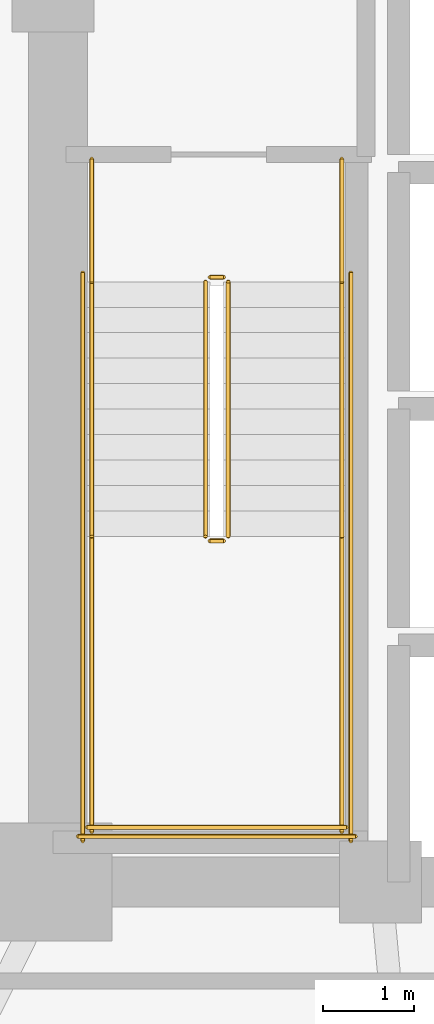
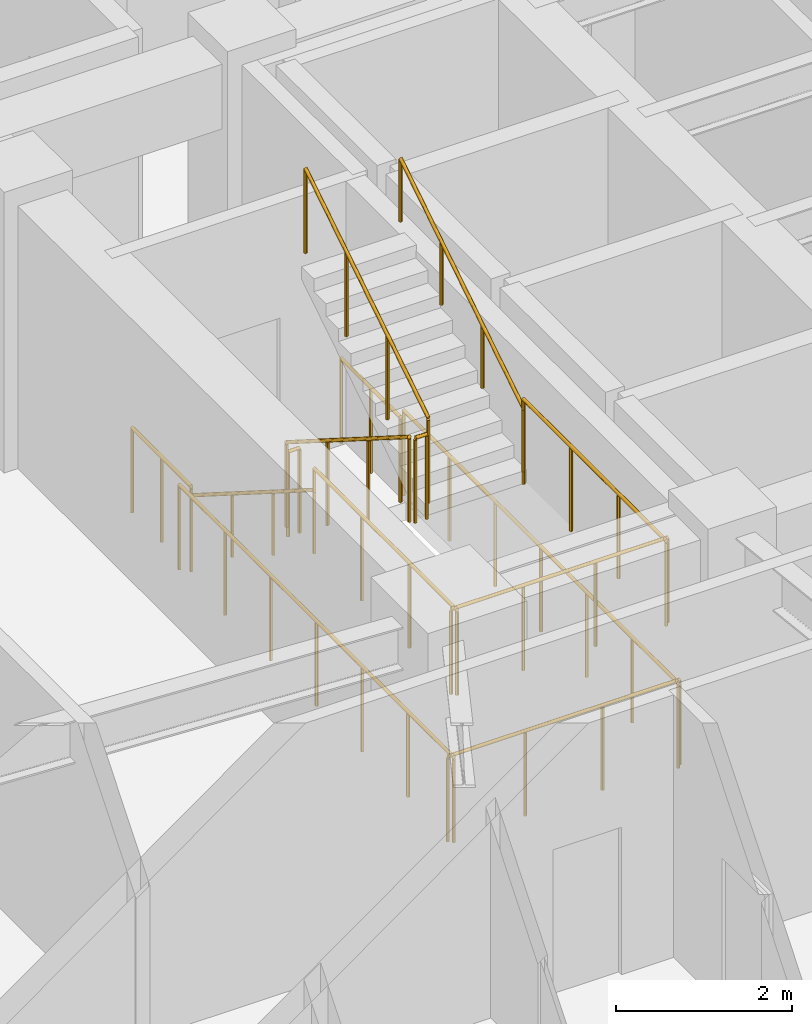
# One storey, part 10 of 12: 14 railings.
"""IFC4 building model written with IfcOpenShell, lengths in metres."""

import ifcopenshell
import ifcopenshell.guid

model = None  # the IFC model being written
_history = None  # IfcOwnerHistory: only IFC2X3 demands one
_inside = {}  # id of a spatial element -> (the spatial element, [elements in it])
_under = {}  # id of a project, library or spatial element -> (it, [spatial elements below it])
_declared = {}  # id of a project -> (the project, [libraries it declares])
_typed = {}  # id of a type object -> (the type object, [elements of that type])
_made_of = {}  # id of a material, layer set ... -> (it, [elements and type objects made of it])


def new_model(schema):
    """Start an empty IFC model of exactly this schema.

    Asked for "IFC4X3", IfcOpenShell would pick the latest addendum, in which some entities
    have other attributes; the version numbers below select the first issue.
    IFC2X3 requires an IfcOwnerHistory on every rooted entity: one is made here for all.
    """
    global model, _history
    if schema == "IFC4X3":
        model = ifcopenshell.file(schema_version=(4, 3, 0, 0))
    else:
        model = ifcopenshell.file(schema=schema)
    _inside.clear()
    _under.clear()
    _declared.clear()
    _typed.clear()
    _made_of.clear()
    _history = None
    if model.schema == "IFC2X3":
        org = make("IfcOrganization", Name="unknown")
        user = make(
            "IfcPersonAndOrganization",
            ThePerson=make("IfcPerson", FamilyName="unknown"),
            TheOrganization=org,
        )
        app = make(
            "IfcApplication",
            ApplicationDeveloper=org,
            Version="unknown",
            ApplicationFullName="unknown",
            ApplicationIdentifier="unknown",
        )
        _history = make(
            "IfcOwnerHistory",
            OwningUser=user,
            OwningApplication=app,
            ChangeAction="ADDED",
            CreationDate=0,
        )
    return model


def make(cls, **values):
    """One entity of the class cls with the attributes given. An attribute that is None is left unset."""
    return model.create_entity(
        cls, **{name: value for name, value in values.items() if value is not None}
    )


def rooted(cls, **values):
    """An entity with a GlobalId (a new one), such as an element, a storey or a relation."""
    return make(cls, GlobalId=ifcopenshell.guid.new(), OwnerHistory=_history, **values)


def si_unit(unit_type, name, prefix=None):
    """IfcSIUnit, for example si_unit("LENGTHUNIT", "METRE", prefix="MILLI")."""
    return make("IfcSIUnit", UnitType=unit_type, Prefix=prefix, Name=name)


def assignment(units):
    """IfcUnitAssignment: the units of a project."""
    return None if units is None else make("IfcUnitAssignment", Units=units)


def point(xyz):
    """IfcCartesianPoint."""
    return None if xyz is None else make("IfcCartesianPoint", Coordinates=xyz)


def direction(xyz):
    """IfcDirection."""
    return None if xyz is None else make("IfcDirection", DirectionRatios=xyz)


def frame(location, z_axis=None, x_axis=None):
    """IfcAxis2Placement3D, a coordinate frame: its origin and axes. An axis left out is left unset."""
    return make(
        "IfcAxis2Placement3D",
        Location=point(location),
        Axis=direction(z_axis),
        RefDirection=direction(x_axis),
    )


def frame_2d(location, x_axis=None):
    """IfcAxis2Placement2D, a coordinate frame in the plane: its origin and x axis."""
    return make(
        "IfcAxis2Placement2D", Location=point(location), RefDirection=direction(x_axis)
    )


def origin():
    """The frame at (0, 0, 0) with its axes left unset."""
    return frame((0.0, 0.0, 0.0))


def origin_2d():
    """The frame at (0, 0) in the plane with its x axis left unset."""
    return frame_2d((0.0, 0.0))


def place(relative_to, where):
    """IfcLocalPlacement: puts the frame where relative to a parent placement (None: the world)."""
    return make(
        "IfcLocalPlacement", PlacementRelTo=relative_to, RelativePlacement=where
    )


def context(
    kind, dimensions, precision=None, world=None, true_north=None, identifier=None
):
    """IfcGeometricRepresentationContext, for example the 3D "Model" context."""
    return make(
        "IfcGeometricRepresentationContext",
        ContextIdentifier=identifier,
        ContextType=kind,
        CoordinateSpaceDimension=dimensions,
        Precision=precision,
        WorldCoordinateSystem=world,
        TrueNorth=true_north,
    )


def subcontext(parent, identifier, kind, view, scale=None):
    """IfcGeometricRepresentationSubContext, for example "Body" below "Model"."""
    return make(
        "IfcGeometricRepresentationSubContext",
        ContextIdentifier=identifier,
        ContextType=kind,
        ParentContext=parent,
        TargetScale=scale,
        TargetView=view,
    )


def project(units=None, contexts=None):
    """IfcProject with its units and contexts."""
    return rooted(
        "IfcProject",
        Name="project",
        RepresentationContexts=contexts,
        UnitsInContext=assignment(units),
    )


def spatial(cls, under=None, at=None, **own):
    """A site, building, storey or space (cls), placed at a placement, below another one or the project."""
    s = rooted(cls, ObjectPlacement=at, **own)
    if under is not None:
        _under.setdefault(under.id(), (under, []))[1].append(s)
    return s


def profile(cls, at=None, kind="AREA", **sizes):
    """A parametric profile (cls). Its sizes go by their IFC names, for example OverallWidth=200.0."""
    return make(cls, ProfileType=kind, Position=at, **sizes)


def circle(**sizes):
    """IfcCircleProfileDef."""
    return profile("IfcCircleProfileDef", **sizes)


def extrude(swept, where, along, depth):
    """IfcExtrudedAreaSolid: the profile swept, set in the frame where, extruded along a direction by depth."""
    return make(
        "IfcExtrudedAreaSolid",
        SweptArea=swept,
        Position=where,
        ExtrudedDirection=direction(along),
        Depth=depth,
    )


def shape(context_of_items, identifier, shape_type, items):
    """IfcShapeRepresentation: the items that make up one representation, for example the "Body"."""
    return make(
        "IfcShapeRepresentation",
        ContextOfItems=context_of_items,
        RepresentationIdentifier=identifier,
        RepresentationType=shape_type,
        Items=items,
    )


def material(Name=None, Category=None):
    """IfcMaterial."""
    return make("IfcMaterial", Name=Name, Category=Category)


def made_of(thing, what):
    """Note that an element or type object is made of a material, layer set ...; save() writes the relation."""
    if what is not None:
        _made_of.setdefault(what.id(), (what, []))[1].append(thing)
    return thing


def type_object(cls, material=None, **own):
    """A type object (cls), such as IfcWallType, which elements share."""
    return made_of(rooted(cls, **own), material)


def element(
    cls,
    number,
    at=None,
    inside=None,
    cuts=None,
    type_object=None,
    material=None,
    context=None,
    identifier="Body",
    shape_type=None,
    held_by="IfcProductDefinitionShape",
    body=None,
    shapes=None,
    **own,
):
    """One element of the class cls, such as IfcWall. Its Tag is "e" and its number.

    at: its placement. inside: the storey or other place that contains it. cuts: it is an
    opening in that element (IfcRelVoidsElement). A single representation is given by context,
    identifier, shape_type and body (its items); several are given by shapes. held_by: the class
    of the entity that holds the representations. save() writes the other relations.
    """
    e = rooted(cls, Tag="e%d" % number, ObjectPlacement=at, **own)
    if body is not None:
        shapes = [shape(context, identifier, shape_type, body)]
    if shapes is not None:
        e.Representation = make(held_by, Representations=shapes)
    if inside is not None:
        _inside.setdefault(inside.id(), (inside, []))[1].append(e)
    if cuts is not None:
        rooted(
            "IfcRelVoidsElement", RelatingBuildingElement=cuts, RelatedOpeningElement=e
        )
    if type_object is not None:
        _typed.setdefault(type_object.id(), (type_object, []))[1].append(e)
    return made_of(e, material)


def aggregate(whole, parts):
    """IfcRelAggregates: a whole, such as a stair, and the parts it consists of."""
    return rooted("IfcRelAggregates", RelatingObject=whole, RelatedObjects=parts)


def save(model, path):
    """Write the relations noted so far, then the file.

    IfcRelAggregates (storeys below a building ...), IfcRelContainedInSpatialStructure (elements
    in a storey), IfcRelDefinesByType, IfcRelAssociatesMaterial and IfcRelDeclares: one each for
    every whole, place, type object, material and project.
    """
    for whole, parts in _under.values():
        aggregate(whole, parts)
    for where, things in _inside.values():
        rooted(
            "IfcRelContainedInSpatialStructure",
            RelatedElements=things,
            RelatingStructure=where,
        )
    for kind, things in _typed.values():
        rooted("IfcRelDefinesByType", RelatedObjects=things, RelatingType=kind)
    for what, things in _made_of.values():
        rooted("IfcRelAssociatesMaterial", RelatedObjects=things, RelatingMaterial=what)
    for by, libraries in _declared.values():
        rooted("IfcRelDeclares", RelatingContext=by, RelatedDefinitions=libraries)
    model.write(path)


model = new_model("IFC4")

# Units and contexts
model_context = context("Model", 3, precision=1e-05, world=origin(), true_north=direction((0.0, 1.0)))
body_context = subcontext(model_context, "Body", "Model", "MODEL_VIEW")
ifc_project = project(units=[si_unit("LENGTHUNIT", "METRE"), si_unit("AREAUNIT", "SQUARE_METRE"), si_unit("VOLUMEUNIT", "CUBIC_METRE"), si_unit("PLANEANGLEUNIT", "RADIAN"), si_unit("MASSUNIT", "GRAM", prefix="KILO")], contexts=[model_context])

# Site, building, storey
site_placement = place(None, origin())
site = spatial("IfcSite", under=ifc_project, at=site_placement, CompositionType="ELEMENT")
building_placement = place(site_placement, origin())
building = spatial("IfcBuilding", under=site, at=building_placement, Name="Voryun Gate Residences", CompositionType="ELEMENT")
storey_placement = place(building_placement, frame((0.0, 0.0, 101.39990234375)))
storey = spatial("IfcBuildingStorey", under=building, at=storey_placement, Name="L24", CompositionType="ELEMENT", Elevation=101.39990234375)

# Railings
ifc_material_1 = material(Name="Painted steel", Category="steel")
railing_type_1 = type_object("IfcRailingType", Name="RAIL_STAIR_GUARD_1200", PredefinedType="GUARDRAIL", material=ifc_material_1)
railing_1_placement = place(storey_placement, frame((-17.52490234375, -0.800048828125, 0.177490234375)))
element("IfcRailing", 1, at=railing_1_placement, inside=storey, type_object=railing_type_1, Name="L24 ST-W1 stair guard 1", PredefinedType="GUARDRAIL", context=body_context, shape_type="SweptSolid", body=[
    extrude(circle(Radius=0.02392578125, at=origin_2d()), frame((0.0, 0.0, 1.17578125), z_axis=(0.0, -0.844908973607, 0.534910110503), x_axis=(1.0, 0.0, 0.0)), (0.0, 0.0, 1.0), 3.31396484375),
    extrude(circle(Radius=0.02099609375, at=origin_2d()), origin(), (0.0, 0.0, 1.0), 1.15185546875),
    extrude(circle(Radius=0.02099609375, at=origin_2d()), frame((0.0, -0.933349609375, 0.5908203125)), (0.0, 0.0, 1.0), 1.15185546875),
    extrude(circle(Radius=0.02099609375, at=origin_2d()), frame((0.0, -1.86669921875, 1.181884765625)), (0.0, 0.0, 1.0), 1.15185546875),
    extrude(circle(Radius=0.02099609375, at=origin_2d()), frame((0.0, -2.800048828125, 1.772705078125)), (0.0, 0.0, 1.0), 1.15185546875),
])
railing_2_placement = place(storey_placement, frame((-17.47509765625, -3.64990234375, 1.9501953125)))
element("IfcRailing", 2, at=railing_2_placement, inside=storey, type_object=railing_type_1, Name="L24 ST-W1 stair guard 2", PredefinedType="GUARDRAIL", context=body_context, shape_type="SweptSolid", body=[
    extrude(circle(Radius=0.02392578125, at=origin_2d()), frame((0.0, 0.0, 1.17578125), z_axis=(1.0, 0.0, 0.0), x_axis=(0.0, 1.0, 0.0)), (0.0, 0.0, 1.0), 0.150146484375),
    extrude(circle(Radius=0.02099609375, at=origin_2d()), origin(), (0.0, 0.0, 1.0), 1.15185546875),
    extrude(circle(Radius=0.02099609375, at=origin_2d()), frame((0.150146484375, 0.0, 0.0)), (0.0, 0.0, 1.0), 1.15185546875),
])
for number, where, name in (
    (3, (-18.77490234375, -3.60009765625, 1.9501953125), "L24 ST-W1 stair guard 3"),
    (4, (-16.02490234375, -3.60009765625, 1.9501953125), "L24 ST-W1 stair guard 4"),
):
    element("IfcRailing", number, at=place(storey_placement, frame(where)), inside=storey, type_object=railing_type_1, Name=name, PredefinedType="GUARDRAIL", context=body_context, shape_type="SweptSolid", body=[
        extrude(circle(Radius=0.02392578125, at=origin_2d()), frame((0.0, 0.0, 1.17578125), z_axis=(0.0, -1.0, 0.0), x_axis=(1.0, 0.0, 0.0)), (0.0, 0.0, 1.0), 3.25),
        extrude(circle(Radius=0.02099609375, at=origin_2d()), origin(), (0.0, 0.0, 1.0), 1.15185546875),
        extrude(circle(Radius=0.02099609375, at=origin_2d()), frame((0.0, -1.083251953125, 0.0)), (0.0, 0.0, 1.0), 1.15185546875),
        extrude(circle(Radius=0.02099609375, at=origin_2d()), frame((0.0, -2.166748046875, 0.0)), (0.0, 0.0, 1.0), 1.15185546875),
        extrude(circle(Radius=0.02099609375, at=origin_2d()), frame((0.0, -3.25, 0.0)), (0.0, 0.0, 1.0), 1.15185546875),
    ])
railing_3_placement = place(storey_placement, frame((-18.824951171875, -6.800048828125, 1.9501953125)))
element("IfcRailing", 5, at=railing_3_placement, inside=storey, type_object=railing_type_1, Name="L24 ST-W1 stair guard 5", PredefinedType="GUARDRAIL", context=body_context, shape_type="SweptSolid", body=[
    extrude(circle(Radius=0.02392578125, at=origin_2d()), frame((0.0, 0.0, 1.17578125), z_axis=(1.0, 0.0, 0.0), x_axis=(0.0, 1.0, 0.0)), (0.0, 0.0, 1.0), 2.849853515625),
    extrude(circle(Radius=0.02099609375, at=origin_2d()), origin(), (0.0, 0.0, 1.0), 1.15185546875),
    extrude(circle(Radius=0.02099609375, at=origin_2d()), frame((0.949951171875, 0.0, 0.0)), (0.0, 0.0, 1.0), 1.15185546875),
    extrude(circle(Radius=0.02099609375, at=origin_2d()), frame((1.89990234375, 0.0, 0.0)), (0.0, 0.0, 1.0), 1.15185546875),
    extrude(circle(Radius=0.02099609375, at=origin_2d()), frame((2.849853515625, 0.0, 0.0)), (0.0, 0.0, 1.0), 1.15185546875),
])
railing_4_placement = place(storey_placement, frame((-17.27490234375, -3.60009765625, 2.12744140625)))
element("IfcRailing", 6, at=railing_4_placement, inside=storey, type_object=railing_type_1, Name="L24 ST-W1 stair guard 6", PredefinedType="GUARDRAIL", context=body_context, shape_type="SweptSolid", body=[
    extrude(circle(Radius=0.02392578125, at=origin_2d()), frame((0.0, 0.0, 1.17578125), z_axis=(0.0, 0.844908973607, 0.534910110503), x_axis=(-1.0, 0.0, 0.0)), (0.0, 0.0, 1.0), 3.31396484375),
    extrude(circle(Radius=0.02099609375, at=origin_2d()), origin(), (0.0, 0.0, 1.0), 1.15185546875),
    extrude(circle(Radius=0.02099609375, at=origin_2d()), frame((0.0, 0.933349609375, 0.5908203125)), (0.0, 0.0, 1.0), 1.15185546875),
    extrude(circle(Radius=0.02099609375, at=origin_2d()), frame((0.0, 1.86669921875, 1.181884765625)), (0.0, 0.0, 1.0), 1.15185546875),
    extrude(circle(Radius=0.02099609375, at=origin_2d()), frame((0.0, 2.800048828125, 1.772705078125)), (0.0, 0.0, 1.0), 1.15185546875),
])
railing_5_placement = place(storey_placement, frame((-17.47509765625, -0.75, 0.0)))
element("IfcRailing", 7, at=railing_5_placement, inside=storey, type_object=railing_type_1, Name="L24 ST-W1 stair guard 7", PredefinedType="GUARDRAIL", context=body_context, shape_type="SweptSolid", body=[
    extrude(circle(Radius=0.02392578125, at=origin_2d()), frame((0.0, 0.0, 1.17578125), z_axis=(1.0, 0.0, 0.0), x_axis=(0.0, 1.0, 0.0)), (0.0, 0.0, 1.0), 0.150146484375),
    extrude(circle(Radius=0.02099609375, at=origin_2d()), origin(), (0.0, 0.0, 1.0), 1.15185546875),
    extrude(circle(Radius=0.02099609375, at=origin_2d()), frame((0.150146484375, 0.0, 0.0)), (0.0, 0.0, 1.0), 1.15185546875),
])
for number, where, name in (
    (8, (-18.77490234375, 0.550048828125, 0.0), "L24 ST-W1 stair guard 8"),
    (9, (-16.02490234375, 0.550048828125, 0.0), "L24 ST-W1 stair guard 9"),
):
    element("IfcRailing", number, at=place(storey_placement, frame(where)), inside=storey, type_object=railing_type_1, Name=name, PredefinedType="GUARDRAIL", context=body_context, shape_type="SweptSolid", body=[
        extrude(circle(Radius=0.02392578125, at=origin_2d()), frame((0.0, 0.0, 1.17578125), z_axis=(0.0, -1.0, 0.0), x_axis=(1.0, 0.0, 0.0)), (0.0, 0.0, 1.0), 1.35009765625),
        extrude(circle(Radius=0.02099609375, at=origin_2d()), origin(), (0.0, 0.0, 1.0), 1.15185546875),
        extrude(circle(Radius=0.02099609375, at=origin_2d()), frame((0.0, -0.675048828125, 0.0)), (0.0, 0.0, 1.0), 1.15185546875),
        extrude(circle(Radius=0.02099609375, at=origin_2d()), frame((0.0, -1.35009765625, 0.0)), (0.0, 0.0, 1.0), 1.15185546875),
    ])
for number, where, name in (
    (10, (-18.875, -0.699951171875, 0.0), "L24 ST-W1 stair guard 10"),
    (11, (-15.925048828125, -0.699951171875, 0.0), "L24 ST-W1 stair guard 11"),
):
    element("IfcRailing", number, at=place(storey_placement, frame(where)), inside=storey, type_object=railing_type_1, Name=name, PredefinedType="GUARDRAIL", context=body_context, shape_type="SweptSolid", body=[
        extrude(circle(Radius=0.02392578125, at=origin_2d()), frame((0.0, 0.0, 1.17578125), z_axis=(0.0, -1.0, 0.0), x_axis=(1.0, 0.0, 0.0)), (0.0, 0.0, 1.0), 6.25),
        extrude(circle(Radius=0.02099609375, at=origin_2d()), origin(), (0.0, 0.0, 1.0), 1.15185546875),
        extrude(circle(Radius=0.02099609375, at=origin_2d()), frame((0.0, -1.041748046875, 0.0)), (0.0, 0.0, 1.0), 1.15185546875),
        extrude(circle(Radius=0.02099609375, at=origin_2d()), frame((0.0, -2.083251953125, 0.0)), (0.0, 0.0, 1.0), 1.15185546875),
        extrude(circle(Radius=0.02099609375, at=origin_2d()), frame((0.0, -3.125, 0.0)), (0.0, 0.0, 1.0), 1.15185546875),
        extrude(circle(Radius=0.02099609375, at=origin_2d()), frame((0.0, -4.166748046875, 0.0)), (0.0, 0.0, 1.0), 1.15185546875),
        extrude(circle(Radius=0.02099609375, at=origin_2d()), frame((0.0, -5.208251953125, 0.0)), (0.0, 0.0, 1.0), 1.15185546875),
        extrude(circle(Radius=0.02099609375, at=origin_2d()), frame((0.0, -6.25, 0.0)), (0.0, 0.0, 1.0), 1.15185546875),
    ])
railing_6_placement = place(storey_placement, frame((-18.925048828125, -6.89990234375, 0.0)))
element("IfcRailing", 12, at=railing_6_placement, inside=storey, type_object=railing_type_1, Name="L24 ST-W1 stair guard 12", PredefinedType="GUARDRAIL", context=body_context, shape_type="SweptSolid", body=[
    extrude(circle(Radius=0.02392578125, at=origin_2d()), frame((0.0, 0.0, 1.17578125), z_axis=(1.0, 0.0, 0.0), x_axis=(0.0, 1.0, 0.0)), (0.0, 0.0, 1.0), 3.050048828125),
    extrude(circle(Radius=0.02099609375, at=origin_2d()), origin(), (0.0, 0.0, 1.0), 1.15185546875),
    extrude(circle(Radius=0.02099609375, at=origin_2d()), frame((1.0166015625, 0.0, 0.0)), (0.0, 0.0, 1.0), 1.15185546875),
    extrude(circle(Radius=0.02099609375, at=origin_2d()), frame((2.033447265625, 0.0, 0.0)), (0.0, 0.0, 1.0), 1.15185546875),
    extrude(circle(Radius=0.02099609375, at=origin_2d()), frame((3.050048828125, 0.0, 0.0)), (0.0, 0.0, 1.0), 1.15185546875),
])
ifc_material_2 = material(Name="Painted steel", Category="steel")
railing_type_2 = type_object("IfcRailingType", Name="RAIL_STAIR_HANDRAIL_900", PredefinedType="HANDRAIL", material=ifc_material_2)
railing_7_placement = place(storey_placement, frame((-18.77490234375, -0.800048828125, 0.177490234375)))
element("IfcRailing", 13, at=railing_7_placement, inside=storey, type_object=railing_type_2, Name="L24 ST-W1 stair handrail 1", PredefinedType="HANDRAIL", context=body_context, shape_type="SweptSolid", body=[
    extrude(circle(Radius=0.02392578125, at=origin_2d()), frame((0.0, 0.0, 0.8759765625), z_axis=(0.0, -0.844908973607, 0.534910110503), x_axis=(1.0, 0.0, 0.0)), (0.0, 0.0, 1.0), 3.31396484375),
    extrude(circle(Radius=0.02099609375, at=origin_2d()), origin(), (0.0, 0.0, 1.0), 0.851806640625),
    extrude(circle(Radius=0.02099609375, at=origin_2d()), frame((0.0, -0.933349609375, 0.5908203125)), (0.0, 0.0, 1.0), 0.851806640625),
    extrude(circle(Radius=0.02099609375, at=origin_2d()), frame((0.0, -1.86669921875, 1.181884765625)), (0.0, 0.0, 1.0), 0.851806640625),
    extrude(circle(Radius=0.02099609375, at=origin_2d()), frame((0.0, -2.800048828125, 1.772705078125)), (0.0, 0.0, 1.0), 0.851806640625),
])
railing_8_placement = place(storey_placement, frame((-16.02490234375, -3.60009765625, 2.12744140625)))
element("IfcRailing", 14, at=railing_8_placement, inside=storey, type_object=railing_type_2, Name="L24 ST-W1 stair handrail 2", PredefinedType="HANDRAIL", context=body_context, shape_type="SweptSolid", body=[
    extrude(circle(Radius=0.02392578125, at=origin_2d()), frame((0.0, 0.0, 0.8759765625), z_axis=(0.0, 0.844908973607, 0.534910110503), x_axis=(-1.0, 0.0, 0.0)), (0.0, 0.0, 1.0), 3.31396484375),
    extrude(circle(Radius=0.02099609375, at=origin_2d()), origin(), (0.0, 0.0, 1.0), 0.851806640625),
    extrude(circle(Radius=0.02099609375, at=origin_2d()), frame((0.0, 0.933349609375, 0.5908203125)), (0.0, 0.0, 1.0), 0.851806640625),
    extrude(circle(Radius=0.02099609375, at=origin_2d()), frame((0.0, 1.86669921875, 1.181884765625)), (0.0, 0.0, 1.0), 0.851806640625),
    extrude(circle(Radius=0.02099609375, at=origin_2d()), frame((0.0, 2.800048828125, 1.772705078125)), (0.0, 0.0, 1.0), 0.851806640625),
])

save(model, "model.ifc")
